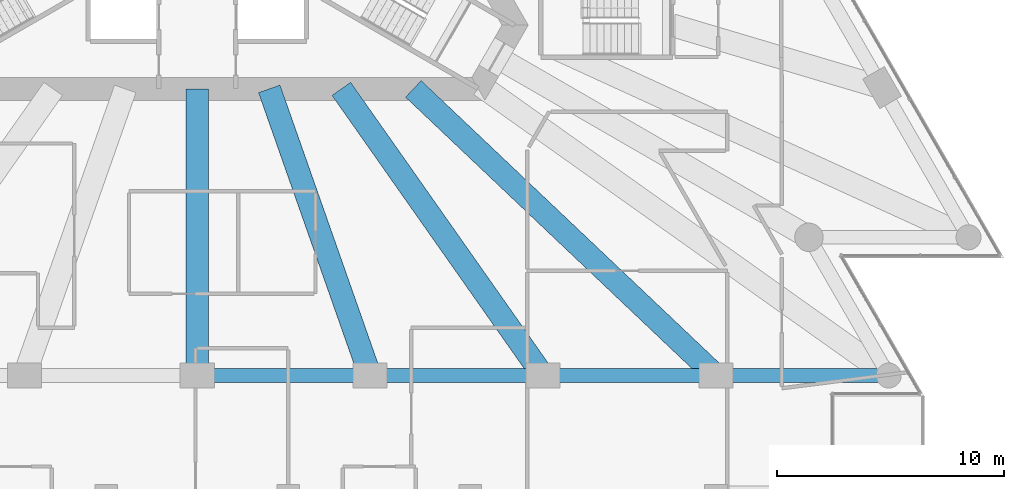
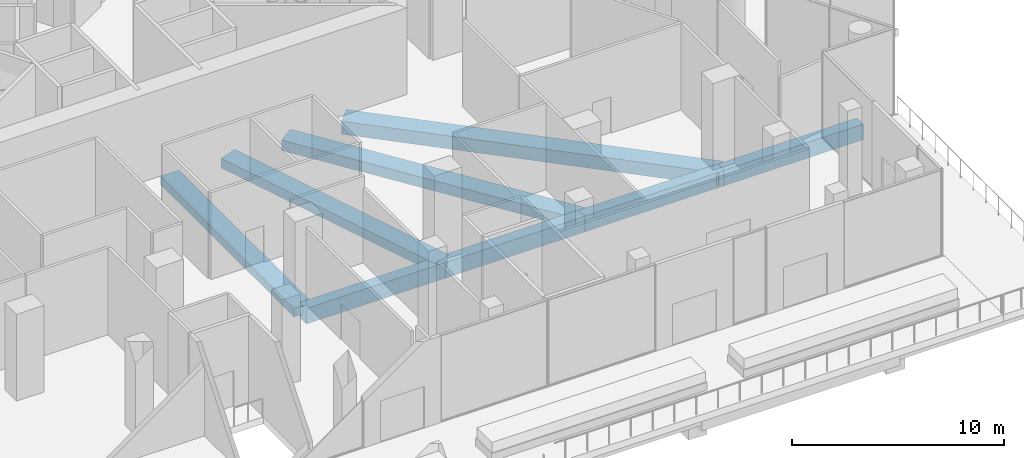
# One storey, part 8 of 29: 8 beams.
"""IFC4 building model written with IfcOpenShell, lengths in metres."""

from ifc_helpers import new_model, si_unit, direction, frame, origin, origin_2d, place, context, subcontext, project, spatial, rectangle, extrude, material, material_profile, profile_set, type_object, element, save


model = new_model("IFC4")

# Units and contexts
model_context = context("Model", 3, precision=1e-05, world=origin(), true_north=direction((0.0, 1.0)))
body_context = subcontext(model_context, "Body", "Model", "MODEL_VIEW")
ifc_project = project(units=[si_unit("LENGTHUNIT", "METRE"), si_unit("AREAUNIT", "SQUARE_METRE"), si_unit("VOLUMEUNIT", "CUBIC_METRE"), si_unit("PLANEANGLEUNIT", "RADIAN"), si_unit("MASSUNIT", "GRAM", prefix="KILO")], contexts=[model_context])

# Site, building, storey
site_placement = place(None, origin())
site = spatial("IfcSite", under=ifc_project, at=site_placement, CompositionType="ELEMENT")
building_placement = place(site_placement, origin())
building = spatial("IfcBuilding", under=site, at=building_placement, Name="Triada Interchange Tower", CompositionType="ELEMENT")
storey_placement = place(building_placement, frame((0.0, 0.0, 19.89990234375)))
storey = spatial("IfcBuildingStorey", under=building, at=storey_placement, Name="L03", CompositionType="ELEMENT", Elevation=19.89990234375)

# Beams
ifc_material = material(Name="Concrete C50/60", Category="concrete")
ifc_material_profile_1 = material_profile(ifc_material, rectangle(XDim=1.0, YDim=0.5, at=origin_2d()), Name="RC 1000x500")
ifc_profile_set_1 = profile_set([ifc_material_profile_1], Name="Concrete C50/60")
beam_type_1 = type_object("IfcBeamType", Name="Radial band beam P RC 1000x500", PredefinedType="BEAM", material=ifc_profile_set_1)
beam_1_placement = place(storey_placement, frame((0.0, -21.60009765625, -0.64990234375), z_axis=(0.0, 1.0, 0.0), x_axis=(-1.0, 0.0, 0.0)))
element("IfcBeam", 1, at=beam_1_placement, inside=storey, type_object=beam_type_1, Name="Radial band beam BP15 L03", PredefinedType="BEAM", context=body_context, shape_type="SweptSolid", body=[
    extrude(rectangle(XDim=1.0, YDim=0.5, at=origin_2d()), origin(), (0.0, 0.0, 1.0), 12.60009765625),
])
ifc_material_profile_2 = material_profile(ifc_material, rectangle(XDim=1.0, YDim=0.550048828125, at=origin_2d()), Name="RC 1000x550")
ifc_profile_set_2 = profile_set([ifc_material_profile_2], Name="Concrete C50/60")
beam_type_2 = type_object("IfcBeamType", Name="Radial band beam P RC 1000x550", PredefinedType="BEAM", material=ifc_profile_set_2)
beam_2_placement = place(storey_placement, frame((7.59912109375, -21.60009765625, -0.6748046875), z_axis=(-0.331888742463, 0.943318537201, 0.0), x_axis=(-0.943318537201, -0.331888742463, 0.0)))
element("IfcBeam", 2, at=beam_2_placement, inside=storey, type_object=beam_type_2, Name="Radial band beam BP16 L03", PredefinedType="BEAM", context=body_context, shape_type="SweptSolid", body=[
    extrude(rectangle(XDim=1.0, YDim=0.550048828125, at=origin_2d()), origin(), (0.0, 0.0, 1.0), 13.357177734375),
])
ifc_material_profile_3 = material_profile(ifc_material, rectangle(XDim=1.0, YDim=0.60009765625, at=origin_2d()), Name="RC 1000x600")
ifc_profile_set_3 = profile_set([ifc_material_profile_3], Name="Concrete C50/60")
beam_type_3 = type_object("IfcBeamType", Name="Radial band beam P RC 1000x600", PredefinedType="BEAM", material=ifc_profile_set_3)
beam_3_placement = place(storey_placement, frame((15.198974609375, -21.60009765625, -0.699951171875), z_axis=(-0.575460041142, 0.81782989738, 0.0), x_axis=(-0.81782989738, -0.575460041142, 0.0)))
element("IfcBeam", 3, at=beam_3_placement, inside=storey, type_object=beam_type_3, Name="Radial band beam BP17 L03", PredefinedType="BEAM", context=body_context, shape_type="SweptSolid", body=[
    extrude(rectangle(XDim=1.0, YDim=0.60009765625, at=origin_2d()), origin(), (0.0, 0.0, 1.0), 15.40673828125),
])
ifc_material_profile_4 = material_profile(ifc_material, rectangle(XDim=1.0, YDim=0.75, at=origin_2d()), Name="RC 1000x750")
ifc_profile_set_4 = profile_set([ifc_material_profile_4], Name="Concrete C50/60")
beam_type_4 = type_object("IfcBeamType", Name="Radial band beam P RC 1000x750", PredefinedType="BEAM", material=ifc_profile_set_4)
beam_4_placement = place(storey_placement, frame((22.798095703125, -21.60009765625, -0.77490234375), z_axis=(-0.725926069578, 0.687772739723, 0.0), x_axis=(-0.687772739723, -0.725926069578, 0.0)))
element("IfcBeam", 4, at=beam_4_placement, inside=storey, type_object=beam_type_4, Name="Radial band beam BP18 L03", PredefinedType="BEAM", context=body_context, shape_type="SweptSolid", body=[
    extrude(rectangle(XDim=1.0, YDim=0.75, at=origin_2d()), origin(), (0.0, 0.0, 1.0), 18.320068359375),
])
ifc_material_profile_5 = material_profile(ifc_material, rectangle(XDim=0.60009765625, YDim=0.89990234375, at=origin_2d()), Name="RC 600x900")
ifc_profile_set_5 = profile_set([ifc_material_profile_5], Name="Concrete C50/60")
beam_type_5 = type_object("IfcBeamType", Name="Spandrel beam P RC 600x900", PredefinedType="BEAM", material=ifc_profile_set_5)
beam_5_placement = place(storey_placement, frame((0.0, -21.60009765625, -0.849853515625), z_axis=(1.0, 0.0, 0.0), x_axis=(0.0, 1.0, 0.0)))
element("IfcBeam", 5, at=beam_5_placement, inside=storey, type_object=beam_type_5, Name="Spandrel beam EP15 L03", PredefinedType="BEAM", context=body_context, shape_type="SweptSolid", body=[
    extrude(rectangle(XDim=0.60009765625, YDim=0.89990234375, at=origin_2d()), origin(), (0.0, 0.0, 1.0), 7.59912109375),
])
beam_6_placement = place(storey_placement, frame((7.59912109375, -21.60009765625, -0.849853515625), z_axis=(1.0, 0.0, 0.0), x_axis=(0.0, 1.0, 0.0)))
element("IfcBeam", 6, at=beam_6_placement, inside=storey, type_object=beam_type_5, Name="Spandrel beam EP16 L03", PredefinedType="BEAM", context=body_context, shape_type="SweptSolid", body=[
    extrude(rectangle(XDim=0.60009765625, YDim=0.89990234375, at=origin_2d()), origin(), (0.0, 0.0, 1.0), 7.599853515625),
])
beam_7_placement = place(storey_placement, frame((15.198974609375, -21.60009765625, -0.849853515625), z_axis=(1.0, 0.0, 0.0), x_axis=(0.0, 1.0, 0.0)))
element("IfcBeam", 7, at=beam_7_placement, inside=storey, type_object=beam_type_5, Name="Spandrel beam EP17 L03", PredefinedType="BEAM", context=body_context, shape_type="SweptSolid", body=[
    extrude(rectangle(XDim=0.60009765625, YDim=0.89990234375, at=origin_2d()), origin(), (0.0, 0.0, 1.0), 7.59912109375),
])
beam_8_placement = place(storey_placement, frame((22.798095703125, -21.60009765625, -0.849853515625), z_axis=(1.0, 0.0, 0.0), x_axis=(0.0, 1.0, 0.0)))
element("IfcBeam", 8, at=beam_8_placement, inside=storey, type_object=beam_type_5, Name="Spandrel beam EP18 L03", PredefinedType="BEAM", context=body_context, shape_type="SweptSolid", body=[
    extrude(rectangle(XDim=0.60009765625, YDim=0.89990234375, at=origin_2d()), origin(), (0.0, 0.0, 1.0), 7.598876953125),
])

save(model, "model.ifc")
